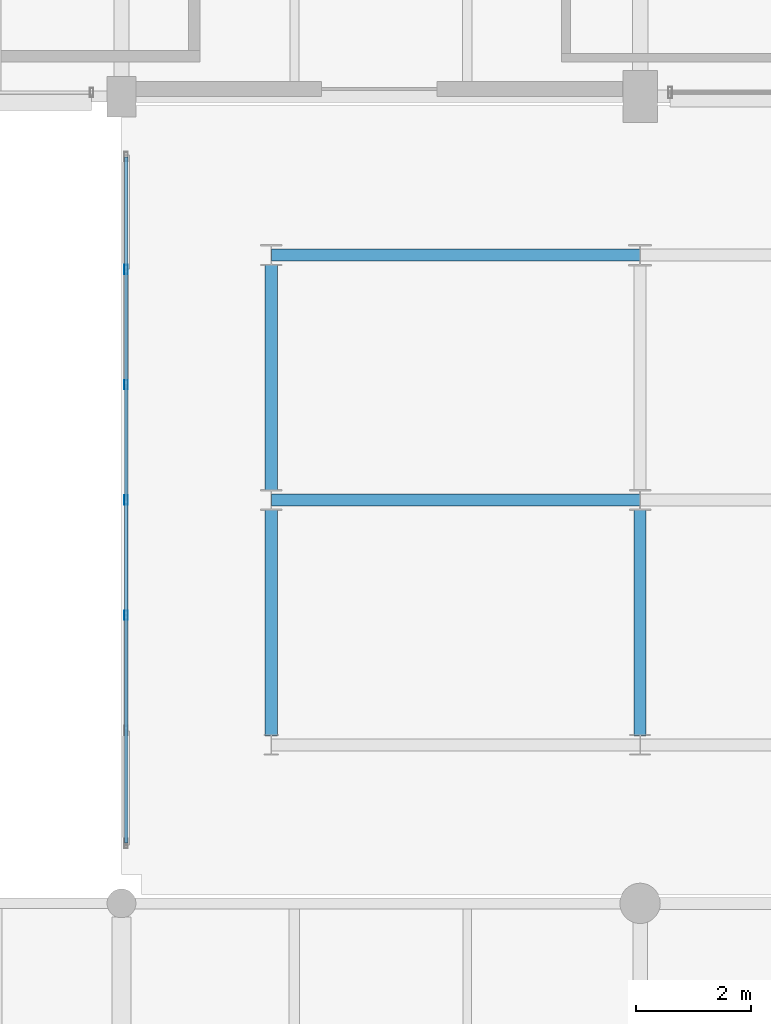
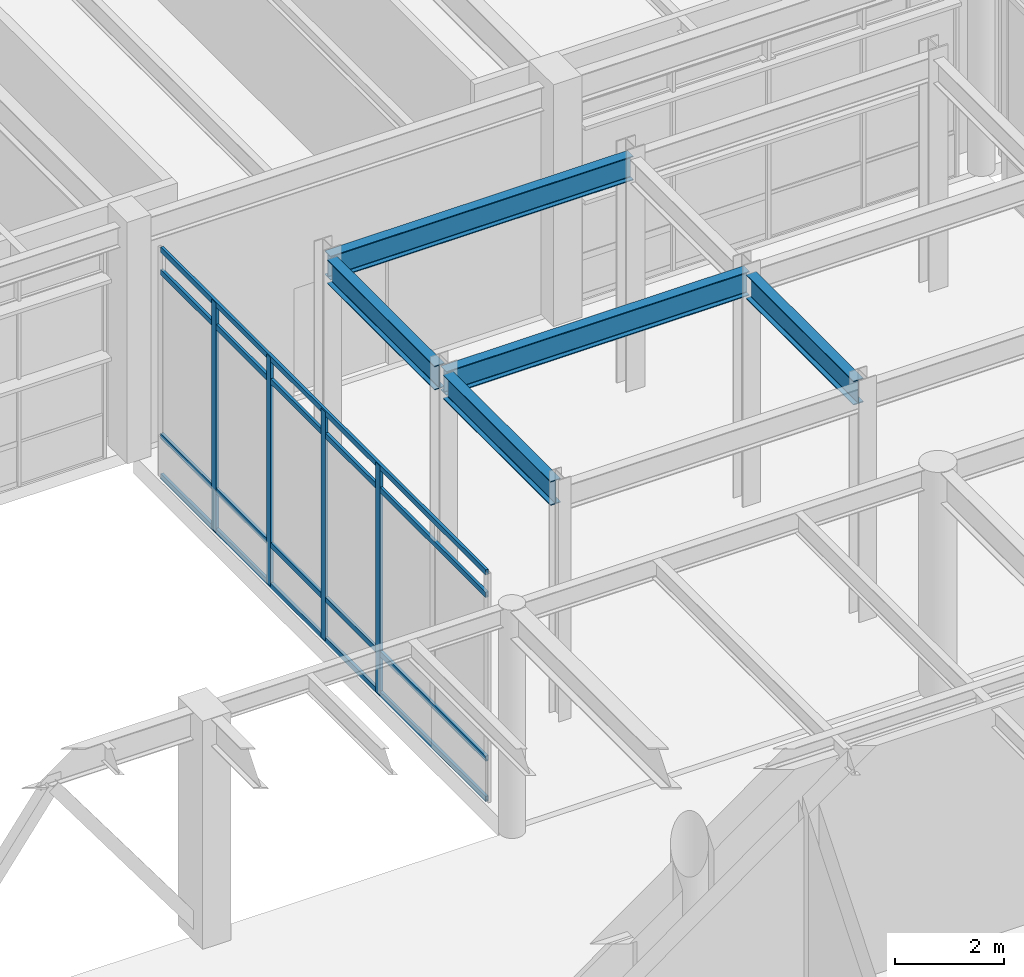
# One storey, part 75 of 203: 8 members, 5 beams, 1 element without a shape of its own.
"""IFC4 building model written with IfcOpenShell, lengths in metres."""

from ifc_helpers import new_model, si_unit, direction, frame, origin, origin_2d, place, context, subcontext, project, spatial, hollow_rectangle, i_section, extrude, material, material_profile, profile_set, type_object, element, aggregate, save


model = new_model("IFC4")

# Units and contexts
model_context = context("Model", 3, precision=1e-05, world=origin(), true_north=direction((0.0, 1.0)))
body_context = subcontext(model_context, "Body", "Model", "MODEL_VIEW")
ifc_project = project(units=[si_unit("LENGTHUNIT", "METRE"), si_unit("AREAUNIT", "SQUARE_METRE"), si_unit("VOLUMEUNIT", "CUBIC_METRE"), si_unit("PLANEANGLEUNIT", "RADIAN"), si_unit("MASSUNIT", "GRAM", prefix="KILO"), si_unit("THERMODYNAMICTEMPERATUREUNIT", "KELVIN"), si_unit("POWERUNIT", "WATT")], contexts=[model_context])

# Site, building, storey
site_placement = place(None, origin())
site = spatial("IfcSite", under=ifc_project, at=site_placement, CompositionType="ELEMENT")
building_placement = place(site_placement, origin())
building = spatial("IfcBuilding", under=site, at=building_placement, Name="Tepalcoro Natatorium and Aquatics Centre", CompositionType="ELEMENT")
storey_placement = place(building_placement, origin())
storey = spatial("IfcBuildingStorey", under=building, at=storey_placement, Name="L00", CompositionType="ELEMENT", Elevation=0.0)

# Beams
ifc_material_1 = material(Name="Steel ASTM A992 Grade 50 (Fy 345 MPa)", Category="steel")
ifc_material_profile_1 = material_profile(ifc_material_1, i_section(OverallWidth=0.2109375, OverallDepth=0.5380859375, WebThickness=0.011962890625, FlangeThickness=0.01904296875, FilletRadius=0.013916015625, at=origin_2d()), Name="W21X73")
ifc_profile_set_1 = profile_set([ifc_material_profile_1], Name="Steel ASTM A992 Grade 50 (Fy 345 MPa)")
beam_type = type_object("IfcBeamType", Name="BM_LINK_LB1", PredefinedType="BEAM", material=ifc_profile_set_1)
for number, where, z_axis, x_axis, name in (
    (1, (55.60009765625, 79.0, 4.89599609375), (1.0, 0.0, 0.0), (0.0, 1.0, 0.0), "Seismic passage link beam LB1 (V6NW L00)"),
    (2, (55.60009765625, 83.25, 4.89599609375), (1.0, 0.0, 0.0), (0.0, 1.0, 0.0), "Seismic passage link beam LB1 (V6NW L00)"),
):
    element("IfcBeam", number, at=place(storey_placement, frame(where, z_axis=z_axis, x_axis=x_axis)), inside=storey, type_object=beam_type, Name=name, PredefinedType="BEAM", context=body_context, shape_type="SweptSolid", body=[
        extrude(i_section(OverallWidth=0.2109375, OverallDepth=0.5380859375, WebThickness=0.011962890625, FlangeThickness=0.01904296875, FilletRadius=0.013916015625, at=origin_2d()), origin(), (0.0, 0.0, 1.0), 6.39990234375),
    ])
beam_placement = place(storey_placement, frame((55.60009765625, 74.906982421875, 4.89599609375), z_axis=(0.0, 1.0, 0.0), x_axis=(-1.0, 0.0, 0.0)))
element("IfcBeam", 3, at=beam_placement, inside=storey, type_object=beam_type, Name="Seismic passage link beam LB1 (V6NW L00)", PredefinedType="BEAM", context=body_context, shape_type="SweptSolid", body=[
    extrude(i_section(OverallWidth=0.2109375, OverallDepth=0.5380859375, WebThickness=0.011962890625, FlangeThickness=0.01904296875, FilletRadius=0.013916015625, at=origin_2d()), origin(), (0.0, 0.0, 1.0), 3.93603515625),
])
for number, where, z_axis, x_axis, name in (
    (4, (55.60009765625, 79.156982421875, 4.89599609375), (0.0, 1.0, 0.0), (-1.0, 0.0, 0.0), "Seismic passage link beam LB1 (V6NW L00)"),
    (5, (62.0, 74.906982421875, 4.89599609375), (0.0, 1.0, 0.0), (-1.0, 0.0, 0.0), "Seismic passage link beam LB1 (V6NW L00)"),
):
    element("IfcBeam", number, at=place(storey_placement, frame(where, z_axis=z_axis, x_axis=x_axis)), inside=storey, type_object=beam_type, Name=name, PredefinedType="BEAM", context=body_context, shape_type="SweptSolid", body=[
        extrude(i_section(OverallWidth=0.2109375, OverallDepth=0.5380859375, WebThickness=0.011962890625, FlangeThickness=0.01904296875, FilletRadius=0.013916015625, at=origin_2d()), origin(), (0.0, 0.0, 1.0), 3.929931640625),
    ])

# Curtain wall, members
ifc_material_2 = material(Name="Bronze-Anodised Extruded Aluminium Alloy EN AW-6063 T6", Category="aluminium")
curtain_wall_type = type_object("IfcCurtainWallType", Name="CW_LINK_150", PredefinedType="USERDEFINED", material=ifc_material_2)
curtain_wall_placement = place(storey_placement, origin())
curtain_wall = element("IfcCurtainWall", 6, at=curtain_wall_placement, inside=storey, type_object=curtain_wall_type, Name="West Court Swimmers Arcade Glazed Wall W L00", ObjectType="UNITISED STOREFRONT", PredefinedType="USERDEFINED")
ifc_material_profile_2 = material_profile(ifc_material_2, hollow_rectangle(XDim=0.06005859375, YDim=0.159912109375, WallThickness=0.00390625, at=origin_2d()), Name="AL60X160X4")
ifc_profile_set_2 = profile_set([ifc_material_profile_2], Name="Bronze-Anodised Extruded Aluminium Alloy EN AW-6063 T6")
member_type_1 = type_object("IfcMemberType", Name="CW_MUL_60x160", PredefinedType="MULLION", material=ifc_profile_set_2)
member_1_placement = place(storey_placement, frame((53.080078125, 77.0, 0.02001953125), z_axis=(0.0, 0.0, 1.0), x_axis=(1.0, 0.0, 0.0)))
member_1 = element("IfcMember", 7, at=member_1_placement, type_object=member_type_1, Name="CW_LINK_150 Curtain Wall Mullion", PredefinedType="MULLION", context=body_context, shape_type="SweptSolid", body=[
    extrude(hollow_rectangle(XDim=0.06005859375, YDim=0.159912109375, WallThickness=0.00390625, at=origin_2d()), origin(), (0.0, 0.0, 1.0), 5.119873046875),
])
member_2_placement = place(storey_placement, frame((53.080078125, 79.0, 0.02001953125), z_axis=(0.0, 0.0, 1.0), x_axis=(1.0, 0.0, 0.0)))
member_2 = element("IfcMember", 8, at=member_2_placement, type_object=member_type_1, Name="CW_LINK_150 Curtain Wall Mullion", PredefinedType="MULLION", context=body_context, shape_type="SweptSolid", body=[
    extrude(hollow_rectangle(XDim=0.06005859375, YDim=0.159912109375, WallThickness=0.00390625, at=origin_2d()), origin(), (0.0, 0.0, 1.0), 5.119873046875),
])
member_3_placement = place(storey_placement, frame((53.080078125, 81.0, 0.02001953125), z_axis=(0.0, 0.0, 1.0), x_axis=(1.0, 0.0, 0.0)))
member_3 = element("IfcMember", 9, at=member_3_placement, type_object=member_type_1, Name="CW_LINK_150 Curtain Wall Mullion", PredefinedType="MULLION", context=body_context, shape_type="SweptSolid", body=[
    extrude(hollow_rectangle(XDim=0.06005859375, YDim=0.159912109375, WallThickness=0.00390625, at=origin_2d()), origin(), (0.0, 0.0, 1.0), 5.119873046875),
])
member_4_placement = place(storey_placement, frame((53.080078125, 83.0, 0.02001953125), z_axis=(0.0, 0.0, 1.0), x_axis=(1.0, 0.0, 0.0)))
member_4 = element("IfcMember", 10, at=member_4_placement, type_object=member_type_1, Name="CW_LINK_150 Curtain Wall Mullion", PredefinedType="MULLION", context=body_context, shape_type="SweptSolid", body=[
    extrude(hollow_rectangle(XDim=0.06005859375, YDim=0.159912109375, WallThickness=0.00390625, at=origin_2d()), origin(), (0.0, 0.0, 1.0), 5.119873046875),
])
ifc_material_profile_3 = material_profile(ifc_material_2, hollow_rectangle(XDim=0.06005859375, YDim=0.1201171875, WallThickness=0.00390625, at=origin_2d()), Name="AL60X120X4")
ifc_profile_set_3 = profile_set([ifc_material_profile_3], Name="Bronze-Anodised Extruded Aluminium Alloy EN AW-6063 T6")
member_type_2 = type_object("IfcMemberType", Name="CW_TRN_60x120", PredefinedType="USERDEFINED", material=ifc_profile_set_3)
member_5_placement = place(storey_placement, frame((53.080078125, 73.050048828125, 0.050048828125), z_axis=(0.0, 1.0, 0.0), x_axis=(-1.0, 0.0, 0.0)))
member_5 = element("IfcMember", 11, at=member_5_placement, type_object=member_type_2, Name="CW_LINK_150 Curtain Wall Transom", ObjectType="TRANSOM", PredefinedType="USERDEFINED", context=body_context, shape_type="SweptSolid", body=[
    extrude(hollow_rectangle(XDim=0.06005859375, YDim=0.1201171875, WallThickness=0.00390625, at=origin_2d()), origin(), (0.0, 0.0, 1.0), 11.89990234375),
])
member_6_placement = place(storey_placement, frame((53.080078125, 73.050048828125, 0.949951171875), z_axis=(0.0, 1.0, 0.0), x_axis=(-1.0, 0.0, 0.0)))
member_6 = element("IfcMember", 12, at=member_6_placement, type_object=member_type_2, Name="CW_LINK_150 Curtain Wall Transom", ObjectType="TRANSOM", PredefinedType="USERDEFINED", context=body_context, shape_type="SweptSolid", body=[
    extrude(hollow_rectangle(XDim=0.06005859375, YDim=0.1201171875, WallThickness=0.00390625, at=origin_2d()), origin(), (0.0, 0.0, 1.0), 11.89990234375),
])
member_7_placement = place(storey_placement, frame((53.080078125, 73.050048828125, 4.610107421875), z_axis=(0.0, 1.0, 0.0), x_axis=(-1.0, 0.0, 0.0)))
member_7 = element("IfcMember", 13, at=member_7_placement, type_object=member_type_2, Name="CW_LINK_150 Curtain Wall Transom", ObjectType="TRANSOM", PredefinedType="USERDEFINED", context=body_context, shape_type="SweptSolid", body=[
    extrude(hollow_rectangle(XDim=0.06005859375, YDim=0.1201171875, WallThickness=0.00390625, at=origin_2d()), origin(), (0.0, 0.0, 1.0), 11.89990234375),
])
member_8_placement = place(storey_placement, frame((53.080078125, 73.050048828125, 5.110107421875), z_axis=(0.0, 1.0, 0.0), x_axis=(-1.0, 0.0, 0.0)))
member_8 = element("IfcMember", 14, at=member_8_placement, type_object=member_type_2, Name="CW_LINK_150 Curtain Wall Transom", ObjectType="TRANSOM", PredefinedType="USERDEFINED", context=body_context, shape_type="SweptSolid", body=[
    extrude(hollow_rectangle(XDim=0.06005859375, YDim=0.1201171875, WallThickness=0.00390625, at=origin_2d()), origin(), (0.0, 0.0, 1.0), 11.89990234375),
])
aggregate(curtain_wall, [member_1, member_2, member_3, member_4, member_5, member_6, member_7, member_8])

save(model, "model.ifc")
